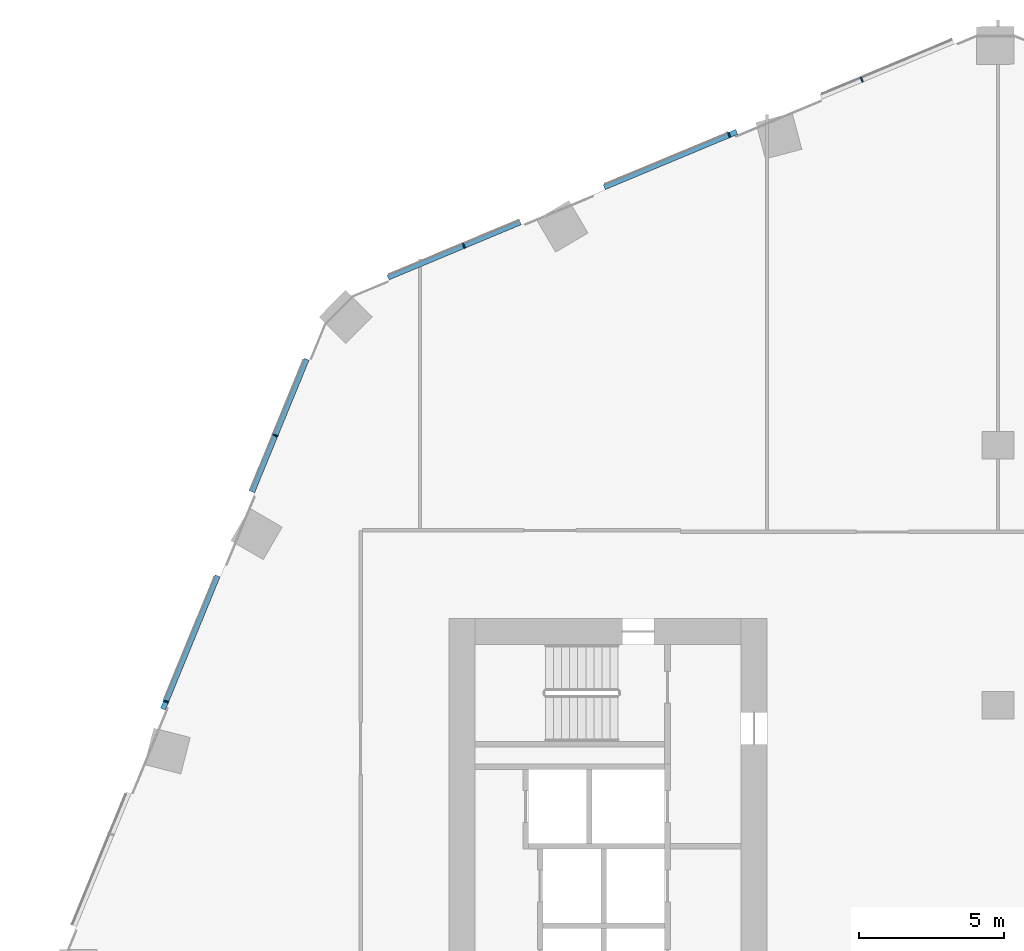
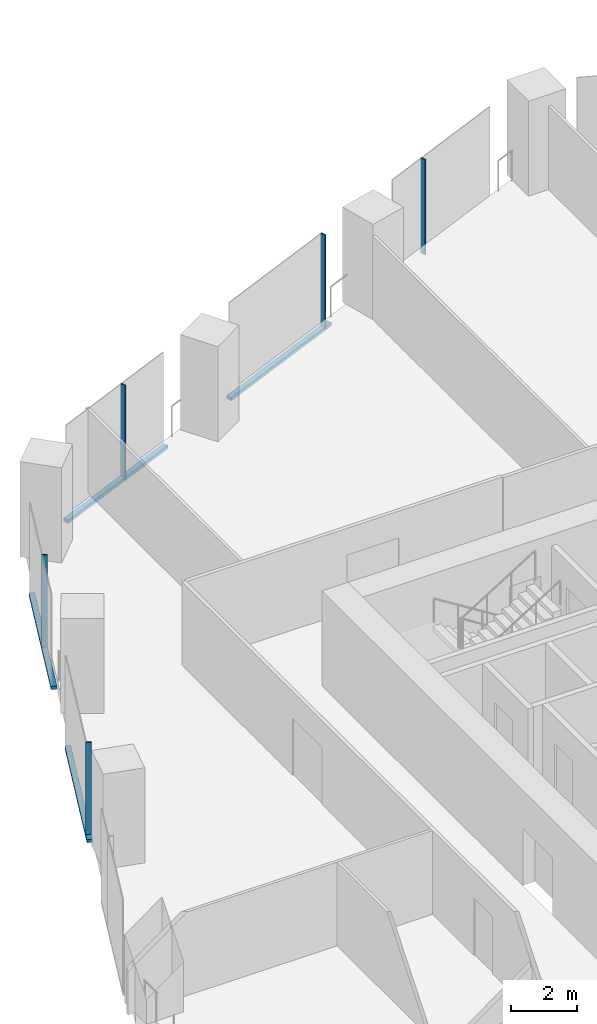
# One storey, part 10 of 34: 9 members, 2 elements without a shape of their own.
"""IFC4 building model written with IfcOpenShell, lengths in metres."""

import ifcopenshell
import ifcopenshell.guid

model = None  # the IFC model being written
_history = None  # IfcOwnerHistory: only IFC2X3 demands one
_inside = {}  # id of a spatial element -> (the spatial element, [elements in it])
_under = {}  # id of a project, library or spatial element -> (it, [spatial elements below it])
_declared = {}  # id of a project -> (the project, [libraries it declares])
_typed = {}  # id of a type object -> (the type object, [elements of that type])
_made_of = {}  # id of a material, layer set ... -> (it, [elements and type objects made of it])


def new_model(schema):
    """Start an empty IFC model of exactly this schema.

    Asked for "IFC4X3", IfcOpenShell would pick the latest addendum, in which some entities
    have other attributes; the version numbers below select the first issue.
    IFC2X3 requires an IfcOwnerHistory on every rooted entity: one is made here for all.
    """
    global model, _history
    if schema == "IFC4X3":
        model = ifcopenshell.file(schema_version=(4, 3, 0, 0))
    else:
        model = ifcopenshell.file(schema=schema)
    _inside.clear()
    _under.clear()
    _declared.clear()
    _typed.clear()
    _made_of.clear()
    _history = None
    if model.schema == "IFC2X3":
        org = make("IfcOrganization", Name="unknown")
        user = make(
            "IfcPersonAndOrganization",
            ThePerson=make("IfcPerson", FamilyName="unknown"),
            TheOrganization=org,
        )
        app = make(
            "IfcApplication",
            ApplicationDeveloper=org,
            Version="unknown",
            ApplicationFullName="unknown",
            ApplicationIdentifier="unknown",
        )
        _history = make(
            "IfcOwnerHistory",
            OwningUser=user,
            OwningApplication=app,
            ChangeAction="ADDED",
            CreationDate=0,
        )
    return model


def make(cls, **values):
    """One entity of the class cls with the attributes given. An attribute that is None is left unset."""
    return model.create_entity(
        cls, **{name: value for name, value in values.items() if value is not None}
    )


def rooted(cls, **values):
    """An entity with a GlobalId (a new one), such as an element, a storey or a relation."""
    return make(cls, GlobalId=ifcopenshell.guid.new(), OwnerHistory=_history, **values)


def si_unit(unit_type, name, prefix=None):
    """IfcSIUnit, for example si_unit("LENGTHUNIT", "METRE", prefix="MILLI")."""
    return make("IfcSIUnit", UnitType=unit_type, Prefix=prefix, Name=name)


def assignment(units):
    """IfcUnitAssignment: the units of a project."""
    return None if units is None else make("IfcUnitAssignment", Units=units)


def point(xyz):
    """IfcCartesianPoint."""
    return None if xyz is None else make("IfcCartesianPoint", Coordinates=xyz)


def direction(xyz):
    """IfcDirection."""
    return None if xyz is None else make("IfcDirection", DirectionRatios=xyz)


def frame(location, z_axis=None, x_axis=None):
    """IfcAxis2Placement3D, a coordinate frame: its origin and axes. An axis left out is left unset."""
    return make(
        "IfcAxis2Placement3D",
        Location=point(location),
        Axis=direction(z_axis),
        RefDirection=direction(x_axis),
    )


def frame_2d(location, x_axis=None):
    """IfcAxis2Placement2D, a coordinate frame in the plane: its origin and x axis."""
    return make(
        "IfcAxis2Placement2D", Location=point(location), RefDirection=direction(x_axis)
    )


def origin():
    """The frame at (0, 0, 0) with its axes left unset."""
    return frame((0.0, 0.0, 0.0))


def origin_2d():
    """The frame at (0, 0) in the plane with its x axis left unset."""
    return frame_2d((0.0, 0.0))


def place(relative_to, where):
    """IfcLocalPlacement: puts the frame where relative to a parent placement (None: the world)."""
    return make(
        "IfcLocalPlacement", PlacementRelTo=relative_to, RelativePlacement=where
    )


def context(
    kind, dimensions, precision=None, world=None, true_north=None, identifier=None
):
    """IfcGeometricRepresentationContext, for example the 3D "Model" context."""
    return make(
        "IfcGeometricRepresentationContext",
        ContextIdentifier=identifier,
        ContextType=kind,
        CoordinateSpaceDimension=dimensions,
        Precision=precision,
        WorldCoordinateSystem=world,
        TrueNorth=true_north,
    )


def subcontext(parent, identifier, kind, view, scale=None):
    """IfcGeometricRepresentationSubContext, for example "Body" below "Model"."""
    return make(
        "IfcGeometricRepresentationSubContext",
        ContextIdentifier=identifier,
        ContextType=kind,
        ParentContext=parent,
        TargetScale=scale,
        TargetView=view,
    )


def project(units=None, contexts=None):
    """IfcProject with its units and contexts."""
    return rooted(
        "IfcProject",
        Name="project",
        RepresentationContexts=contexts,
        UnitsInContext=assignment(units),
    )


def spatial(cls, under=None, at=None, **own):
    """A site, building, storey or space (cls), placed at a placement, below another one or the project."""
    s = rooted(cls, ObjectPlacement=at, **own)
    if under is not None:
        _under.setdefault(under.id(), (under, []))[1].append(s)
    return s


def profile(cls, at=None, kind="AREA", **sizes):
    """A parametric profile (cls). Its sizes go by their IFC names, for example OverallWidth=200.0."""
    return make(cls, ProfileType=kind, Position=at, **sizes)


def rectangle(**sizes):
    """IfcRectangleProfileDef."""
    return profile("IfcRectangleProfileDef", **sizes)


def extrude(swept, where, along, depth):
    """IfcExtrudedAreaSolid: the profile swept, set in the frame where, extruded along a direction by depth."""
    return make(
        "IfcExtrudedAreaSolid",
        SweptArea=swept,
        Position=where,
        ExtrudedDirection=direction(along),
        Depth=depth,
    )


def shape(context_of_items, identifier, shape_type, items):
    """IfcShapeRepresentation: the items that make up one representation, for example the "Body"."""
    return make(
        "IfcShapeRepresentation",
        ContextOfItems=context_of_items,
        RepresentationIdentifier=identifier,
        RepresentationType=shape_type,
        Items=items,
    )


def material(Name=None, Category=None):
    """IfcMaterial."""
    return make("IfcMaterial", Name=Name, Category=Category)


def material_profile(
    of_material, cross_section, Name=None, Category=None, Priority=None
):
    """IfcMaterialProfile: a cross section and its material."""
    return make(
        "IfcMaterialProfile",
        Name=Name,
        Material=of_material,
        Profile=cross_section,
        Priority=Priority,
        Category=Category,
    )


def profile_set(profiles, Name=None, composite=None):
    """IfcMaterialProfileSet."""
    return make(
        "IfcMaterialProfileSet",
        Name=Name,
        MaterialProfiles=profiles,
        CompositeProfile=composite,
    )


def made_of(thing, what):
    """Note that an element or type object is made of a material, layer set ...; save() writes the relation."""
    if what is not None:
        _made_of.setdefault(what.id(), (what, []))[1].append(thing)
    return thing


def type_object(cls, material=None, **own):
    """A type object (cls), such as IfcWallType, which elements share."""
    return made_of(rooted(cls, **own), material)


def element(
    cls,
    number,
    at=None,
    inside=None,
    cuts=None,
    type_object=None,
    material=None,
    context=None,
    identifier="Body",
    shape_type=None,
    held_by="IfcProductDefinitionShape",
    body=None,
    shapes=None,
    **own,
):
    """One element of the class cls, such as IfcWall. Its Tag is "e" and its number.

    at: its placement. inside: the storey or other place that contains it. cuts: it is an
    opening in that element (IfcRelVoidsElement). A single representation is given by context,
    identifier, shape_type and body (its items); several are given by shapes. held_by: the class
    of the entity that holds the representations. save() writes the other relations.
    """
    e = rooted(cls, Tag="e%d" % number, ObjectPlacement=at, **own)
    if body is not None:
        shapes = [shape(context, identifier, shape_type, body)]
    if shapes is not None:
        e.Representation = make(held_by, Representations=shapes)
    if inside is not None:
        _inside.setdefault(inside.id(), (inside, []))[1].append(e)
    if cuts is not None:
        rooted(
            "IfcRelVoidsElement", RelatingBuildingElement=cuts, RelatedOpeningElement=e
        )
    if type_object is not None:
        _typed.setdefault(type_object.id(), (type_object, []))[1].append(e)
    return made_of(e, material)


def aggregate(whole, parts):
    """IfcRelAggregates: a whole, such as a stair, and the parts it consists of."""
    return rooted("IfcRelAggregates", RelatingObject=whole, RelatedObjects=parts)


def save(model, path):
    """Write the relations noted so far, then the file.

    IfcRelAggregates (storeys below a building ...), IfcRelContainedInSpatialStructure (elements
    in a storey), IfcRelDefinesByType, IfcRelAssociatesMaterial and IfcRelDeclares: one each for
    every whole, place, type object, material and project.
    """
    for whole, parts in _under.values():
        aggregate(whole, parts)
    for where, things in _inside.values():
        rooted(
            "IfcRelContainedInSpatialStructure",
            RelatedElements=things,
            RelatingStructure=where,
        )
    for kind, things in _typed.values():
        rooted("IfcRelDefinesByType", RelatedObjects=things, RelatingType=kind)
    for what, things in _made_of.values():
        rooted("IfcRelAssociatesMaterial", RelatedObjects=things, RelatingMaterial=what)
    for by, libraries in _declared.values():
        rooted("IfcRelDeclares", RelatingContext=by, RelatedDefinitions=libraries)
    model.write(path)


model = new_model("IFC4")

# Units and contexts
model_context = context("Model", 3, precision=1e-05, world=origin(), true_north=direction((0.0, 1.0)))
body_context = subcontext(model_context, "Body", "Model", "MODEL_VIEW")
ifc_project = project(units=[si_unit("LENGTHUNIT", "METRE"), si_unit("AREAUNIT", "SQUARE_METRE"), si_unit("VOLUMEUNIT", "CUBIC_METRE"), si_unit("PLANEANGLEUNIT", "RADIAN"), si_unit("MASSUNIT", "GRAM", prefix="KILO")], contexts=[model_context])

# Site, building, storey
site_placement = place(None, origin())
site = spatial("IfcSite", under=ifc_project, at=site_placement, CompositionType="ELEMENT")
building_placement = place(site_placement, origin())
building = spatial("IfcBuilding", under=site, at=building_placement, Name="Orlundy Tower", CompositionType="ELEMENT")
storey_placement = place(building_placement, frame((0.0, 0.0, 102.199951171875)))
storey = spatial("IfcBuildingStorey", under=building, at=storey_placement, Name="L25", CompositionType="ELEMENT", Elevation=102.199951171875)

# Curtain wall, members
ifc_material_1 = material(Name="Aluminium bronze anodised", Category="aluminium")
curtain_wall_type = type_object("IfcCurtainWallType", Name="CW1 wall", PredefinedType="NOTDEFINED", material=ifc_material_1)
curtain_wall_1_placement = place(storey_placement, origin())
curtain_wall_1 = element("IfcCurtainWall", 1, at=curtain_wall_1_placement, inside=storey, type_object=curtain_wall_type, Name="CW1 run 014", PredefinedType="NOTDEFINED")
ifc_material_2 = material(Name="Aluminium bronze anodised", Category="aluminium")
ifc_material_profile_1 = material_profile(ifc_material_2, rectangle(XDim=0.179931640625, YDim=0.050048828125, at=origin_2d()), Name="CW1 mullion 50x180")
ifc_profile_set_1 = profile_set([ifc_material_profile_1], Name="Aluminium bronze anodised")
member_type_1 = type_object("IfcMemberType", Name="CW1 mullion 50x180", PredefinedType="MULLION", material=ifc_profile_set_1)
member_1_placement = place(storey_placement, frame((-28.777587890625, 9.135498046875, -0.39990234375), z_axis=(0.0, 0.0, 1.0), x_axis=(-0.924984462277, 0.380004927003, 0.0)))
member_1 = element("IfcMember", 2, at=member_1_placement, type_object=member_type_1, Name="CW1 mullion 36", PredefinedType="MULLION", context=body_context, shape_type="SweptSolid", body=[
    extrude(rectangle(XDim=0.179931640625, YDim=0.050048828125, at=origin_2d()), origin(), (0.0, 0.0, 1.0), 3.5),
])
member_2_placement = place(storey_placement, frame((-25.0, 18.33056640625, -0.39990234375), z_axis=(0.0, 0.0, 1.0), x_axis=(-0.924984462277, 0.380004927003, 0.0)))
member_2 = element("IfcMember", 3, at=member_2_placement, type_object=member_type_1, Name="CW1 mullion 38", PredefinedType="MULLION", context=body_context, shape_type="SweptSolid", body=[
    extrude(rectangle(XDim=0.179931640625, YDim=0.050048828125, at=origin_2d()), origin(), (0.0, 0.0, 1.0), 3.5),
])

curtain_wall_2_placement = place(storey_placement, origin())
curtain_wall_2 = element("IfcCurtainWall", 4, at=curtain_wall_2_placement, inside=storey, type_object=curtain_wall_type, Name="CW1 run 015", PredefinedType="NOTDEFINED")
member_3_placement = place(storey_placement, frame((-18.475830078125, 24.892578125, -0.39990234375), z_axis=(0.0, 0.0, 1.0), x_axis=(-0.385375204433, 0.922759964351, 0.0)))
member_3 = element("IfcMember", 5, at=member_3_placement, type_object=member_type_1, Name="CW1 mullion 40", PredefinedType="MULLION", context=body_context, shape_type="SweptSolid", body=[
    extrude(rectangle(XDim=0.179931640625, YDim=0.050048828125, at=origin_2d()), origin(), (0.0, 0.0, 1.0), 3.5),
])
member_4_placement = place(storey_placement, frame((-9.30224609375, 28.723876953125, -0.39990234375), z_axis=(0.0, 0.0, 1.0), x_axis=(-0.385375204433, 0.922759964351, 0.0)))
member_4 = element("IfcMember", 6, at=member_4_placement, type_object=member_type_1, Name="CW1 mullion 42", PredefinedType="MULLION", context=body_context, shape_type="SweptSolid", body=[
    extrude(rectangle(XDim=0.179931640625, YDim=0.050048828125, at=origin_2d()), origin(), (0.0, 0.0, 1.0), 3.5),
])
member_5_placement = place(storey_placement, frame((-4.715576171875, 30.639404296875, -0.39990234375), z_axis=(0.0, 0.0, 1.0), x_axis=(-0.385375204433, 0.922759964351, 0.0)))
member_5 = element("IfcMember", 7, at=member_5_placement, type_object=member_type_1, Name="CW1 mullion 43", PredefinedType="MULLION", context=body_context, shape_type="SweptSolid", body=[
    extrude(rectangle(XDim=0.179931640625, YDim=0.050048828125, at=origin_2d()), origin(), (0.0, 0.0, 1.0), 3.5),
])

# Member
ifc_material_3 = material(Name="Aluminium bronze anodised", Category="aluminium")
ifc_material_profile_2 = material_profile(ifc_material_3, rectangle(XDim=0.179931640625, YDim=0.1201171875, at=origin_2d()), Name="CW1 transom 180x120")
ifc_profile_set_2 = profile_set([ifc_material_profile_2], Name="Aluminium bronze anodised")
member_type_2 = type_object("IfcMemberType", Name="CW1 transom 180x120", PredefinedType="USERDEFINED", material=ifc_profile_set_2)
member_6_placement = place(storey_placement, frame((-28.88720703125, 8.86865234375, -0.33984375), z_axis=(0.38001248055, 0.924981359069, 0.0), x_axis=(-0.924981359069, 0.38001248055, 0.0)))
member_6 = element("IfcMember", 8, at=member_6_placement, type_object=member_type_2, Name="CW1 transom", ObjectType="TRANSOM", PredefinedType="USERDEFINED", context=body_context, shape_type="SweptSolid", body=[
    extrude(rectangle(XDim=0.179931640625, YDim=0.1201171875, at=origin_2d()), origin(), (0.0, 0.0, 1.0), 4.980224609375),
])

member_7_placement = place(storey_placement, frame((-25.802001953125, 16.378662109375, -0.33984375), z_axis=(0.380015038371, 0.924980308229, 0.0), x_axis=(-0.924980308229, 0.380015038371, 0.0)))
member_7 = element("IfcMember", 9, at=member_7_placement, type_object=member_type_2, Name="CW1 transom", ObjectType="TRANSOM", PredefinedType="USERDEFINED", context=body_context, shape_type="SweptSolid", body=[
    extrude(rectangle(XDim=0.179931640625, YDim=0.1201171875, at=origin_2d()), origin(), (0.0, 0.0, 1.0), 4.964111328125),
])

aggregate(curtain_wall_1, [member_1, member_2, member_6, member_7])

member_8_placement = place(storey_placement, frame((-21.1015625, 23.796142578125, -0.33984375), z_axis=(0.922766237373, 0.385360183678, 0.0), x_axis=(-0.385360183678, 0.922766237373, 0.0)))
member_8 = element("IfcMember", 10, at=member_8_placement, type_object=member_type_2, Name="CW1 transom", ObjectType="TRANSOM", PredefinedType="USERDEFINED", context=body_context, shape_type="SweptSolid", body=[
    extrude(rectangle(XDim=0.179931640625, YDim=0.1201171875, at=origin_2d()), origin(), (0.0, 0.0, 1.0), 4.956787109375),
])

member_9_placement = place(storey_placement, frame((-13.624267578125, 26.918701171875, -0.33984375), z_axis=(0.922749770724, 0.385399611609, 0.0), x_axis=(-0.385399611609, 0.922749770724, 0.0)))
member_9 = element("IfcMember", 11, at=member_9_placement, type_object=member_type_2, Name="CW1 transom", ObjectType="TRANSOM", PredefinedType="USERDEFINED", context=body_context, shape_type="SweptSolid", body=[
    extrude(rectangle(XDim=0.179931640625, YDim=0.1201171875, at=origin_2d()), origin(), (0.0, 0.0, 1.0), 4.97265625),
])

aggregate(curtain_wall_2, [member_3, member_4, member_5, member_8, member_9])

save(model, "model.ifc")
